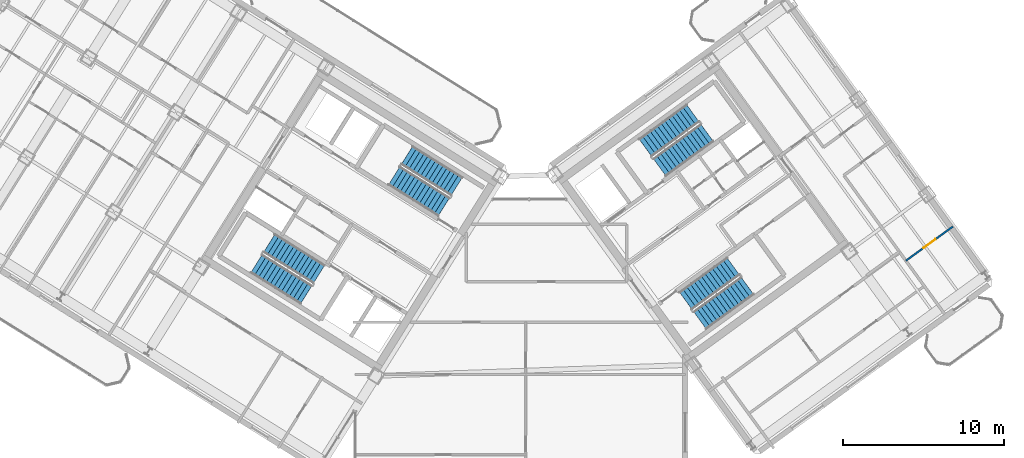
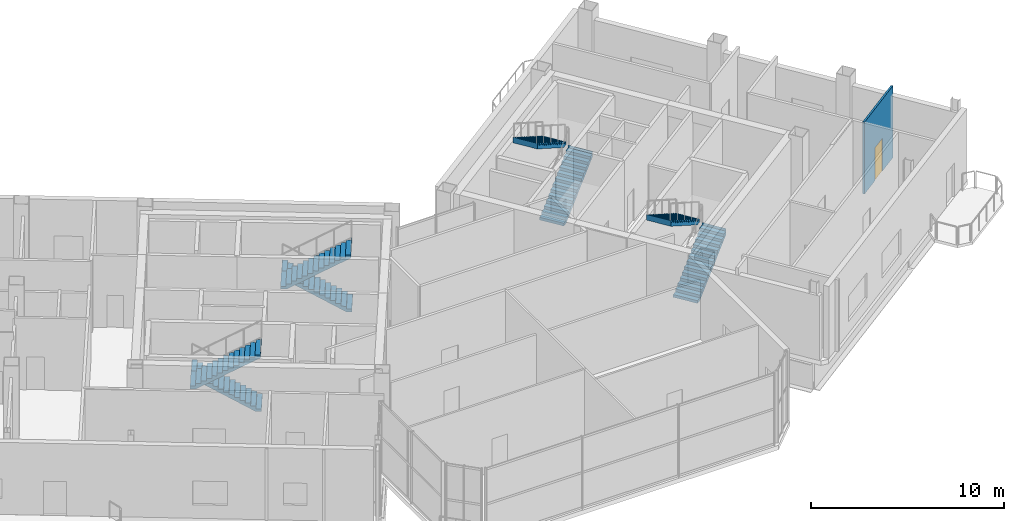
# One storey, part 21 of 26: 8 stair flights, 1 door, 1 wall, 1 opening, 4 elements without a shape of their own.
"""IFC4 building model written with IfcOpenShell, lengths in metres."""

from ifc_helpers import new_model, si_unit, direction, frame, frame_2d, origin, place, context, subcontext, project, spatial, polyline, rectangle, outline, extrude, source, transform, mapped, material, layer, layer_set, type_object, element, fill, aggregate, save


model = new_model("IFC4")

# Units and contexts
model_context = context("Model", 3, precision=1e-05, world=origin(), true_north=direction((0.0, 1.0)))
body_context = subcontext(model_context, "Body", "Model", "MODEL_VIEW")
ifc_project = project(units=[si_unit("LENGTHUNIT", "METRE"), si_unit("AREAUNIT", "SQUARE_METRE"), si_unit("VOLUMEUNIT", "CUBIC_METRE"), si_unit("PLANEANGLEUNIT", "RADIAN"), si_unit("MASSUNIT", "GRAM", prefix="KILO")], contexts=[model_context])

# Site, building, storey
site_placement = place(None, origin())
site = spatial("IfcSite", under=ifc_project, at=site_placement, CompositionType="ELEMENT")
building_placement = place(site_placement, origin())
building = spatial("IfcBuilding", under=site, at=building_placement, Name="Tlacorven Tower", CompositionType="ELEMENT")
storey_placement = place(building_placement, frame((0.0, 0.0, 233.699951171875)))
storey = spatial("IfcBuildingStorey", under=building, at=storey_placement, Name="L59", CompositionType="ELEMENT", Elevation=233.699951171875)

# Wall, opening, door
ifc_material_1 = material(Name="Gypsum plasterboard partition", Category="gypsum")
ifc_layer = layer(ifc_material_1, 0.110107421875)
ifc_layer_set = layer_set([ifc_layer], Name="Gypsum plasterboard partition")
wall_type = type_object("IfcWallType", Name="WL-INT-110", PredefinedType="PARTITIONING", material=ifc_layer_set)
wall_placement = place(storey_placement, frame((65.9443359375, 19.237548828125, 0.0), z_axis=(0.0, 0.0, 1.0), x_axis=(0.809013833588, 0.587789602718, 0.0)))
wall = element("IfcWall", 1, at=wall_placement, inside=storey, type_object=wall_type, Name="L59 partition 86", PredefinedType="PARTITIONING", context=body_context, shape_type="SweptSolid", body=[
    extrude(rectangle(XDim=3.60986328125, YDim=0.110107421875, at=frame_2d((1.804931640625, 0.0))), origin(), (0.0, 0.0, 1.0), 4.5400390625),
])
opening_placement = place(wall_placement, frame((1.344970703125, 0.0, 0.0)))
opening = element("IfcOpeningElement", 2, at=opening_placement, cuts=wall, Name="Opening D12", PredefinedType="OPENING", context=body_context, shape_type="SweptSolid", body=[
    extrude(rectangle(XDim=0.919921875, YDim=2.080078125, at=frame_2d((0.4599609375, 1.0400390625))), frame((0.0, 0.06494140625, 0.0), z_axis=(0.0, -1.0, 0.0), x_axis=(1.0, 0.0, 0.0)), (0.0, 0.0, 1.0), 0.130126953125),
])
ifc_material_2 = material(Name="Powder-coated aluminium and timber door", Category="wood")
door_type = type_object("IfcDoorType", Name="DR-INT-ROOM-0920", OperationType="NOTDEFINED", PredefinedType="DOOR", material=ifc_material_2)
shared_shape_1 = source(origin(), body_context, "Body", "SweptSolid", [
    extrude(rectangle(XDim=0.919921875, YDim=2.080078125, at=frame_2d((0.4599609375, 1.0400390625))), frame((0.0, 0.02490234375, 0.0), z_axis=(0.0, -1.0, 0.0), x_axis=(1.0, 0.0, 0.0)), (0.0, 0.0, 1.0), 0.050048828125),
])
door_placement = place(opening_placement, origin())
door = element("IfcDoor", 3, at=door_placement, inside=storey, type_object=door_type, Name="L59 door 057", OperationType="SINGLE_SWING_RIGHT", OverallHeight=2.080078125, OverallWidth=0.919921875, PredefinedType="DOOR", context=body_context, shape_type="MappedRepresentation", body=[
    mapped(shared_shape_1, transform((0.0, 0.0, 0.0), scale=1.0)),
])
fill(opening, door)

# Stair, stair flights
ifc_material_3 = material(Name="Concrete C40/50", Category="concrete")
stair_type = type_object("IfcStairType", Name="ST-CORE-DLG", PredefinedType="HALF_TURN_STAIR", material=ifc_material_3)
stair_1_placement = place(storey_placement, origin())
stair_1 = element("IfcStair", 4, at=stair_1_placement, inside=storey, type_object=stair_type, Name="L59 Protected Exit Stair West 1", PredefinedType="HALF_TURN_STAIR")
stair_flight_type = type_object("IfcStairFlightType", Name="SFL-RC-1380", PredefinedType="STRAIGHT", material=ifc_material_3)
shared_shape_2 = source(origin(), body_context, "Body", "SweptSolid", [
    extrude(outline(polyline([(-0.0029296875, -0.0029296875), (-0.0029296875, 0.17138671875), (0.280029296875, 0.17138671875), (0.280029296875, 0.3427734375), (0.56005859375, 0.3427734375), (0.56005859375, 0.514404296875), (0.840087890625, 0.514404296875), (0.840087890625, 0.685791015625), (1.1201171875, 0.685791015625), (1.1201171875, 0.857177734375), (1.39990234375, 0.857177734375), (1.39990234375, 1.028564453125), (1.679931640625, 1.028564453125), (1.679931640625, 1.199951171875), (1.9599609375, 1.199951171875), (1.9599609375, 1.371337890625), (2.239990234375, 1.371337890625), (2.239990234375, 1.54296875), (2.52001953125, 1.54296875), (2.52001953125, 1.71435546875), (2.800048828125, 1.71435546875), (2.800048828125, 1.8857421875), (3.080078125, 1.8857421875), (3.080078125, 2.05712890625), (3.360107421875, 2.05712890625), (3.360107421875, 2.228515625), (3.639892578125, 2.228515625), (3.639892578125, 2.39990234375), (3.64306640625, 2.39990234375), (3.64306640625, 2.041015625), (3.639892578125, 2.041015625), (0.30615234375, 0.0), (0.30615234375, -0.0029296875), (-0.0029296875, -0.0029296875)])), frame((0.0, 0.68994140625, 0.0), z_axis=(0.0, -1.0, 0.0), x_axis=(1.0, 0.0, 0.0)), (0.0, 0.0, 1.0), 1.3798828125),
])
stair_flight_1_placement = place(storey_placement, frame((29.499755859375, 18.39453125, 0.0), z_axis=(0.0, 0.0, 1.0), x_axis=(-0.848048096156, 0.529919264233, 0.0)))
stair_flight_1 = element("IfcStairFlight", 5, at=stair_flight_1_placement, type_object=stair_flight_type, Name="ST-W1 flight 1", NumberOfRisers=14, NumberOfTreads=13, PredefinedType="STRAIGHT", RiserHeight=0.171428571, TreadLength=0.28, context=body_context, shape_type="MappedRepresentation", body=[
    mapped(shared_shape_2, transform((0.0, 0.0, 0.0), scale=1.0)),
])
stair_flight_2_placement = place(storey_placement, frame((25.6181640625, 19.051513671875, 2.400146484375), z_axis=(0.0, 0.0, 1.0), x_axis=(0.848048096156, -0.529919264233, 0.0)))
stair_flight_2 = element("IfcStairFlight", 6, at=stair_flight_2_placement, type_object=stair_flight_type, Name="ST-W1 flight 2", NumberOfRisers=14, NumberOfTreads=13, PredefinedType="STRAIGHT", RiserHeight=0.171428571, TreadLength=0.28, context=body_context, shape_type="MappedRepresentation", body=[
    mapped(shared_shape_2, transform((0.0, 0.0, 0.0), scale=1.0)),
])
aggregate(stair_1, [stair_flight_1, stair_flight_2])

stair_2_placement = place(storey_placement, origin())
stair_2 = element("IfcStair", 7, at=stair_2_placement, inside=storey, type_object=stair_type, Name="L59 Protected Exit Stair West 2", PredefinedType="HALF_TURN_STAIR")
stair_flight_3_placement = place(storey_placement, frame((38.051513671875, 23.852294921875, 0.0), z_axis=(0.0, 0.0, 1.0), x_axis=(-0.848048096156, 0.529919264233, 0.0)))
stair_flight_3 = element("IfcStairFlight", 8, at=stair_flight_3_placement, type_object=stair_flight_type, Name="ST-W2 flight 1", NumberOfRisers=14, NumberOfTreads=13, PredefinedType="STRAIGHT", RiserHeight=0.171428571, TreadLength=0.28, context=body_context, shape_type="MappedRepresentation", body=[
    mapped(shared_shape_2, transform((0.0, 0.0, 0.0), scale=1.0)),
])
stair_flight_4_placement = place(storey_placement, frame((34.169677734375, 24.509033203125, 2.400146484375), z_axis=(0.0, 0.0, 1.0), x_axis=(0.848048096156, -0.529919264233, 0.0)))
stair_flight_4 = element("IfcStairFlight", 9, at=stair_flight_4_placement, type_object=stair_flight_type, Name="ST-W2 flight 2", NumberOfRisers=14, NumberOfTreads=13, PredefinedType="STRAIGHT", RiserHeight=0.171428571, TreadLength=0.28, context=body_context, shape_type="MappedRepresentation", body=[
    mapped(shared_shape_2, transform((0.0, 0.0, 0.0), scale=1.0)),
])
aggregate(stair_2, [stair_flight_3, stair_flight_4])

stair_3_placement = place(storey_placement, origin())
stair_3 = element("IfcStair", 10, at=stair_3_placement, inside=storey, type_object=stair_type, Name="L59 Protected Exit Stair East 1", PredefinedType="HALF_TURN_STAIR")
stair_flight_5_placement = place(storey_placement, frame((50.6533203125, 25.0400390625, 0.0), z_axis=(0.0, 0.0, 1.0), x_axis=(0.809016994375, 0.587785252292, 0.0)))
stair_flight_5 = element("IfcStairFlight", 11, at=stair_flight_5_placement, type_object=stair_flight_type, Name="ST-E1 flight 1", NumberOfRisers=14, NumberOfTreads=13, PredefinedType="STRAIGHT", RiserHeight=0.171428571, TreadLength=0.28, context=body_context, shape_type="MappedRepresentation", body=[
    mapped(shared_shape_2, transform((0.0, 0.0, 0.0), scale=1.0)),
])
stair_flight_6_placement = place(storey_placement, frame((52.716552734375, 28.39306640625, 2.400146484375), z_axis=(0.0, 0.0, 1.0), x_axis=(-0.809016994375, -0.587785252292, 0.0)))
stair_flight_6 = element("IfcStairFlight", 12, at=stair_flight_6_placement, type_object=stair_flight_type, Name="ST-E1 flight 2", NumberOfRisers=14, NumberOfTreads=13, PredefinedType="STRAIGHT", RiserHeight=0.171428571, TreadLength=0.28, context=body_context, shape_type="MappedRepresentation", body=[
    mapped(shared_shape_2, transform((0.0, 0.0, 0.0), scale=1.0)),
])
aggregate(stair_3, [stair_flight_5, stair_flight_6])

stair_4_placement = place(storey_placement, origin())
stair_4 = element("IfcStair", 13, at=stair_4_placement, inside=storey, type_object=stair_type, Name="L59 Protected Exit Stair East 2", PredefinedType="HALF_TURN_STAIR")
stair_flight_7_placement = place(storey_placement, frame((53.157470703125, 15.536865234375, 0.0), z_axis=(0.0, 0.0, 1.0), x_axis=(0.809016994375, 0.587785252292, 0.0)))
stair_flight_7 = element("IfcStairFlight", 14, at=stair_flight_7_placement, type_object=stair_flight_type, Name="ST-E2 flight 1", NumberOfRisers=14, NumberOfTreads=13, PredefinedType="STRAIGHT", RiserHeight=0.171428571, TreadLength=0.28, context=body_context, shape_type="MappedRepresentation", body=[
    mapped(shared_shape_2, transform((0.0, 0.0, 0.0), scale=1.0)),
])
stair_flight_8_placement = place(storey_placement, frame((55.220458984375, 18.889892578125, 2.400146484375), z_axis=(0.0, 0.0, 1.0), x_axis=(-0.809016994375, -0.587785252292, 0.0)))
stair_flight_8 = element("IfcStairFlight", 15, at=stair_flight_8_placement, type_object=stair_flight_type, Name="ST-E2 flight 2", NumberOfRisers=14, NumberOfTreads=13, PredefinedType="STRAIGHT", RiserHeight=0.171428571, TreadLength=0.28, context=body_context, shape_type="MappedRepresentation", body=[
    mapped(shared_shape_2, transform((0.0, 0.0, 0.0), scale=1.0)),
])
aggregate(stair_4, [stair_flight_7, stair_flight_8])

save(model, "model.ifc")
